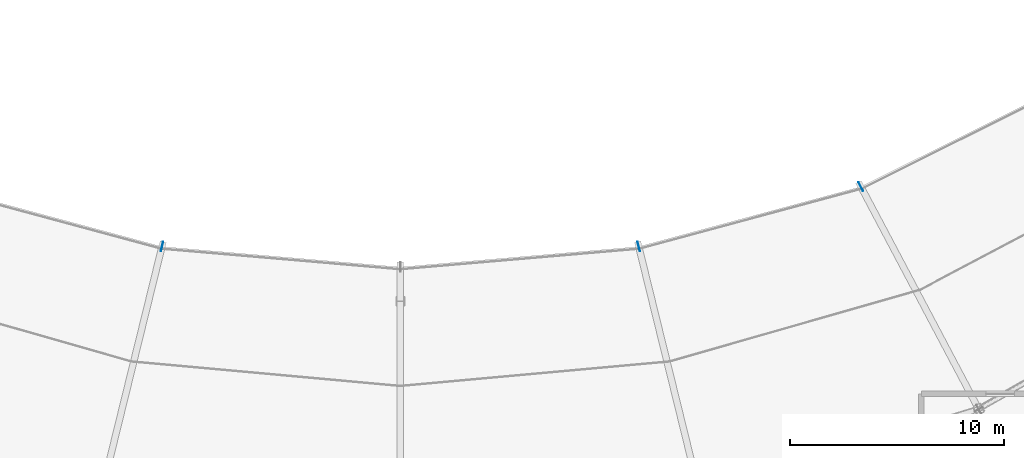
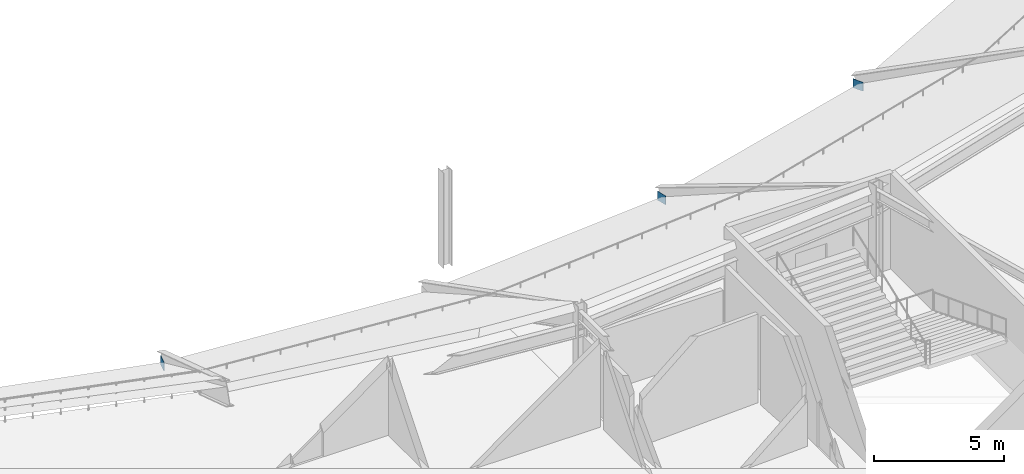
# One storey, part 23 of 63: 3 plates.
"""IFC4 building model written with IfcOpenShell, lengths in metres."""

from ifc_helpers import new_model, si_unit, direction, frame, origin, origin_2d, place, context, subcontext, project, spatial, rectangle, extrude, material, layer, layer_set, type_object, element, save


model = new_model("IFC4")

# Units and contexts
model_context = context("Model", 3, precision=1e-05, world=origin(), true_north=direction((0.0, 1.0)))
body_context = subcontext(model_context, "Body", "Model", "MODEL_VIEW")
ifc_project = project(units=[si_unit("LENGTHUNIT", "METRE"), si_unit("AREAUNIT", "SQUARE_METRE"), si_unit("VOLUMEUNIT", "CUBIC_METRE"), si_unit("PLANEANGLEUNIT", "RADIAN"), si_unit("MASSUNIT", "GRAM", prefix="KILO")], contexts=[model_context])

# Site, building, storey
site_placement = place(None, origin())
site = spatial("IfcSite", under=ifc_project, at=site_placement, CompositionType="ELEMENT")
building_placement = place(site_placement, origin())
building = spatial("IfcBuilding", under=site, at=building_placement, Name="Kalgoora Escarpment Arena", CompositionType="ELEMENT")
storey_placement = place(building_placement, frame((0.0, 0.0, 14.39990234375)))
storey = spatial("IfcBuildingStorey", under=building, at=storey_placement, Name="L03", CompositionType="ELEMENT", Elevation=14.39990234375)

# Plates
ifc_material = material(Name="Structural steel Grade 350 (350 MPa)", Category="steel")
ifc_layer = layer(ifc_material, 0.02490234375)
ifc_layer_set = layer_set([ifc_layer], Name="PLT-GUSSET-25")
plate_type = type_object("IfcPlateType", Name="PLT-GUSSET-25", PredefinedType="USERDEFINED", material=ifc_layer_set)
for number, where, z_axis, x_axis, name in (
    (1, (81.270751953125, 36.9541015625, -2.509765625), (0.0, 0.0, 1.0), (-0.238533457579, -0.97113427991, 0.0), "Upper bowl raker inner end plate R18"),
    (2, (103.529296875, 36.9541015625, -2.509765625), (0.0, 0.0, 1.0), (0.238533457579, -0.97113427991, 0.0), "Upper bowl raker inner end plate R20"),
    (3, (113.89990234375, 39.751220703125, -2.509765625), (0.0, 0.0, 1.0), (0.467775560934, -0.883847285787, 0.0), "Upper bowl raker inner end plate R21"),
):
    element("IfcPlate", number, at=place(storey_placement, frame(where, z_axis=z_axis, x_axis=x_axis)), inside=storey, type_object=plate_type, Name=name, ObjectType="FLANGE PLATE", PredefinedType="USERDEFINED", context=body_context, shape_type="SweptSolid", body=[
        extrude(rectangle(XDim=0.4599609375, YDim=0.02490234375, at=origin_2d()), origin(), (0.0, 0.0, 1.0), 0.419921875),
    ])

save(model, "model.ifc")
